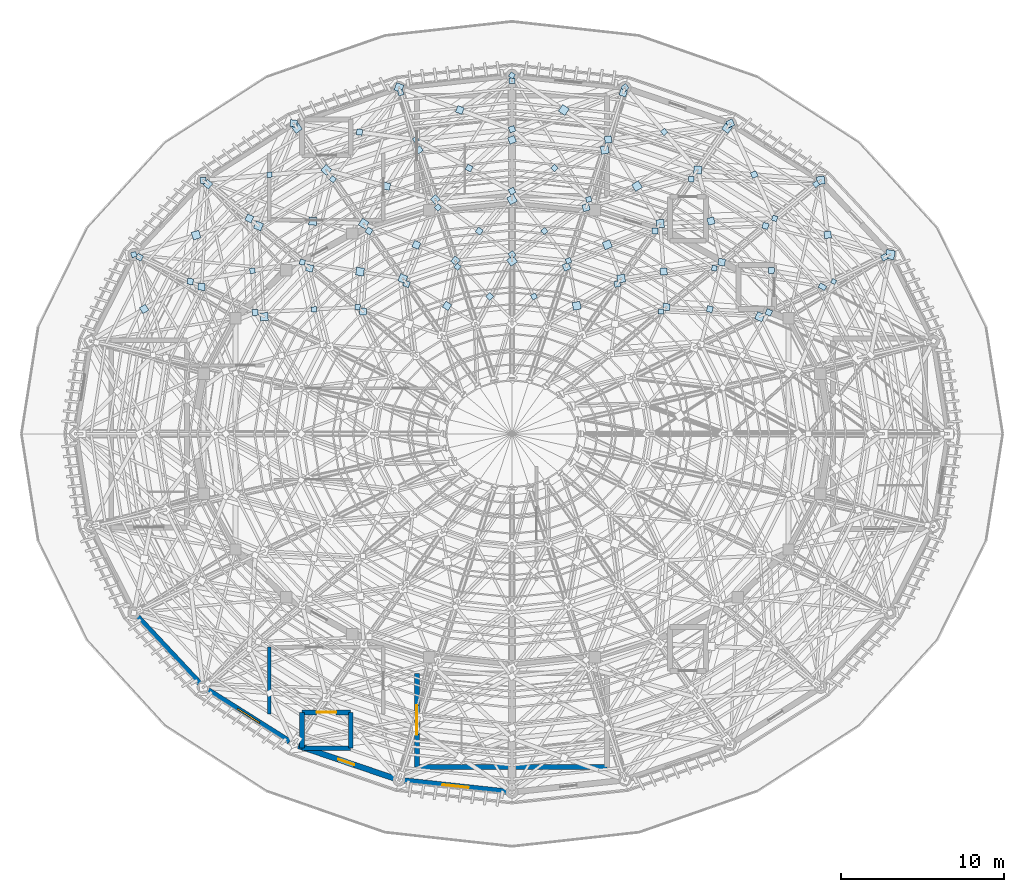
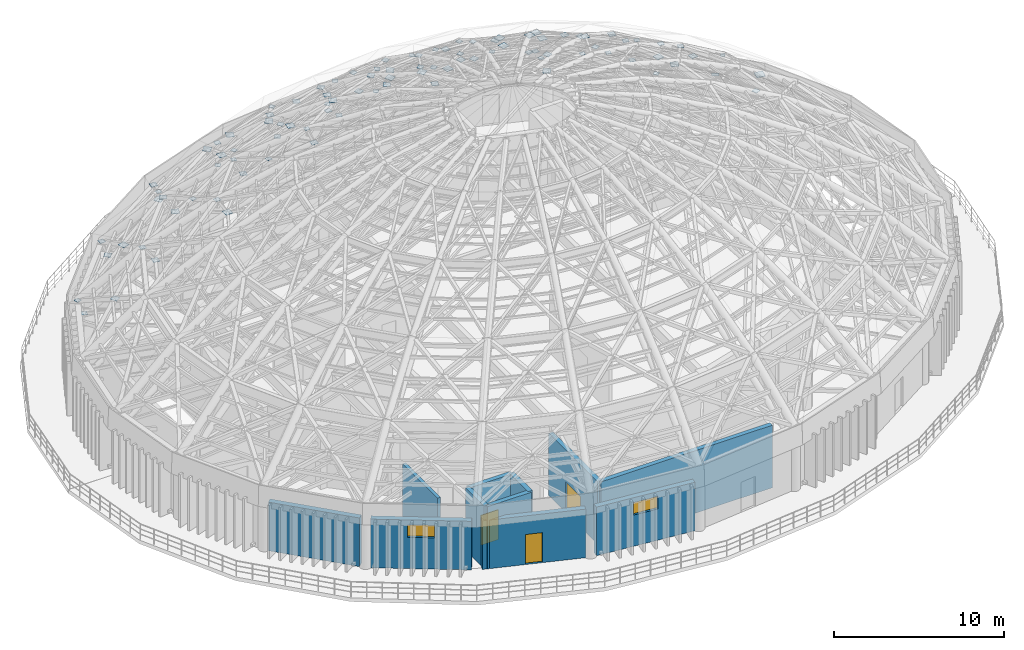
# One storey, part 38 of 50: 97 plates, 11 walls, 3 doors, 2 windows, 5 openings.
"""IFC4 building model written with IfcOpenShell, lengths in metres."""

import ifcopenshell
import ifcopenshell.guid

model = None  # the IFC model being written
_history = None  # IfcOwnerHistory: only IFC2X3 demands one
_inside = {}  # id of a spatial element -> (the spatial element, [elements in it])
_under = {}  # id of a project, library or spatial element -> (it, [spatial elements below it])
_declared = {}  # id of a project -> (the project, [libraries it declares])
_typed = {}  # id of a type object -> (the type object, [elements of that type])
_made_of = {}  # id of a material, layer set ... -> (it, [elements and type objects made of it])


def new_model(schema):
    """Start an empty IFC model of exactly this schema.

    Asked for "IFC4X3", IfcOpenShell would pick the latest addendum, in which some entities
    have other attributes; the version numbers below select the first issue.
    IFC2X3 requires an IfcOwnerHistory on every rooted entity: one is made here for all.
    """
    global model, _history
    if schema == "IFC4X3":
        model = ifcopenshell.file(schema_version=(4, 3, 0, 0))
    else:
        model = ifcopenshell.file(schema=schema)
    _inside.clear()
    _under.clear()
    _declared.clear()
    _typed.clear()
    _made_of.clear()
    _history = None
    if model.schema == "IFC2X3":
        org = make("IfcOrganization", Name="unknown")
        user = make(
            "IfcPersonAndOrganization",
            ThePerson=make("IfcPerson", FamilyName="unknown"),
            TheOrganization=org,
        )
        app = make(
            "IfcApplication",
            ApplicationDeveloper=org,
            Version="unknown",
            ApplicationFullName="unknown",
            ApplicationIdentifier="unknown",
        )
        _history = make(
            "IfcOwnerHistory",
            OwningUser=user,
            OwningApplication=app,
            ChangeAction="ADDED",
            CreationDate=0,
        )
    return model


def make(cls, **values):
    """One entity of the class cls with the attributes given. An attribute that is None is left unset."""
    return model.create_entity(
        cls, **{name: value for name, value in values.items() if value is not None}
    )


def rooted(cls, **values):
    """An entity with a GlobalId (a new one), such as an element, a storey or a relation."""
    return make(cls, GlobalId=ifcopenshell.guid.new(), OwnerHistory=_history, **values)


def si_unit(unit_type, name, prefix=None):
    """IfcSIUnit, for example si_unit("LENGTHUNIT", "METRE", prefix="MILLI")."""
    return make("IfcSIUnit", UnitType=unit_type, Prefix=prefix, Name=name)


def assignment(units):
    """IfcUnitAssignment: the units of a project."""
    return None if units is None else make("IfcUnitAssignment", Units=units)


def point(xyz):
    """IfcCartesianPoint."""
    return None if xyz is None else make("IfcCartesianPoint", Coordinates=xyz)


def direction(xyz):
    """IfcDirection."""
    return None if xyz is None else make("IfcDirection", DirectionRatios=xyz)


def frame(location, z_axis=None, x_axis=None):
    """IfcAxis2Placement3D, a coordinate frame: its origin and axes. An axis left out is left unset."""
    return make(
        "IfcAxis2Placement3D",
        Location=point(location),
        Axis=direction(z_axis),
        RefDirection=direction(x_axis),
    )


def frame_2d(location, x_axis=None):
    """IfcAxis2Placement2D, a coordinate frame in the plane: its origin and x axis."""
    return make(
        "IfcAxis2Placement2D", Location=point(location), RefDirection=direction(x_axis)
    )


def origin():
    """The frame at (0, 0, 0) with its axes left unset."""
    return frame((0.0, 0.0, 0.0))


def origin_2d():
    """The frame at (0, 0) in the plane with its x axis left unset."""
    return frame_2d((0.0, 0.0))


def place(relative_to, where):
    """IfcLocalPlacement: puts the frame where relative to a parent placement (None: the world)."""
    return make(
        "IfcLocalPlacement", PlacementRelTo=relative_to, RelativePlacement=where
    )


def context(
    kind, dimensions, precision=None, world=None, true_north=None, identifier=None
):
    """IfcGeometricRepresentationContext, for example the 3D "Model" context."""
    return make(
        "IfcGeometricRepresentationContext",
        ContextIdentifier=identifier,
        ContextType=kind,
        CoordinateSpaceDimension=dimensions,
        Precision=precision,
        WorldCoordinateSystem=world,
        TrueNorth=true_north,
    )


def subcontext(parent, identifier, kind, view, scale=None):
    """IfcGeometricRepresentationSubContext, for example "Body" below "Model"."""
    return make(
        "IfcGeometricRepresentationSubContext",
        ContextIdentifier=identifier,
        ContextType=kind,
        ParentContext=parent,
        TargetScale=scale,
        TargetView=view,
    )


def project(units=None, contexts=None):
    """IfcProject with its units and contexts."""
    return rooted(
        "IfcProject",
        Name="project",
        RepresentationContexts=contexts,
        UnitsInContext=assignment(units),
    )


def spatial(cls, under=None, at=None, **own):
    """A site, building, storey or space (cls), placed at a placement, below another one or the project."""
    s = rooted(cls, ObjectPlacement=at, **own)
    if under is not None:
        _under.setdefault(under.id(), (under, []))[1].append(s)
    return s


def profile(cls, at=None, kind="AREA", **sizes):
    """A parametric profile (cls). Its sizes go by their IFC names, for example OverallWidth=200.0."""
    return make(cls, ProfileType=kind, Position=at, **sizes)


def rectangle(**sizes):
    """IfcRectangleProfileDef."""
    return profile("IfcRectangleProfileDef", **sizes)


def extrude(swept, where, along, depth):
    """IfcExtrudedAreaSolid: the profile swept, set in the frame where, extruded along a direction by depth."""
    return make(
        "IfcExtrudedAreaSolid",
        SweptArea=swept,
        Position=where,
        ExtrudedDirection=direction(along),
        Depth=depth,
    )


def shape(context_of_items, identifier, shape_type, items):
    """IfcShapeRepresentation: the items that make up one representation, for example the "Body"."""
    return make(
        "IfcShapeRepresentation",
        ContextOfItems=context_of_items,
        RepresentationIdentifier=identifier,
        RepresentationType=shape_type,
        Items=items,
    )


def material(Name=None, Category=None):
    """IfcMaterial."""
    return make("IfcMaterial", Name=Name, Category=Category)


def layer(
    of_material, thickness, ventilated=None, Name=None, Category=None, Priority=None
):
    """IfcMaterialLayer: one layer of a wall or slab, of a material (None: an air gap)."""
    return make(
        "IfcMaterialLayer",
        Material=of_material,
        LayerThickness=thickness,
        IsVentilated=ventilated,
        Name=Name,
        Category=Category,
        Priority=Priority,
    )


def layer_set(layers, Name=None):
    """IfcMaterialLayerSet."""
    return make("IfcMaterialLayerSet", MaterialLayers=layers, LayerSetName=Name)


def made_of(thing, what):
    """Note that an element or type object is made of a material, layer set ...; save() writes the relation."""
    if what is not None:
        _made_of.setdefault(what.id(), (what, []))[1].append(thing)
    return thing


def type_object(cls, material=None, **own):
    """A type object (cls), such as IfcWallType, which elements share."""
    return made_of(rooted(cls, **own), material)


def element(
    cls,
    number,
    at=None,
    inside=None,
    cuts=None,
    type_object=None,
    material=None,
    context=None,
    identifier="Body",
    shape_type=None,
    held_by="IfcProductDefinitionShape",
    body=None,
    shapes=None,
    **own,
):
    """One element of the class cls, such as IfcWall. Its Tag is "e" and its number.

    at: its placement. inside: the storey or other place that contains it. cuts: it is an
    opening in that element (IfcRelVoidsElement). A single representation is given by context,
    identifier, shape_type and body (its items); several are given by shapes. held_by: the class
    of the entity that holds the representations. save() writes the other relations.
    """
    e = rooted(cls, Tag="e%d" % number, ObjectPlacement=at, **own)
    if body is not None:
        shapes = [shape(context, identifier, shape_type, body)]
    if shapes is not None:
        e.Representation = make(held_by, Representations=shapes)
    if inside is not None:
        _inside.setdefault(inside.id(), (inside, []))[1].append(e)
    if cuts is not None:
        rooted(
            "IfcRelVoidsElement", RelatingBuildingElement=cuts, RelatedOpeningElement=e
        )
    if type_object is not None:
        _typed.setdefault(type_object.id(), (type_object, []))[1].append(e)
    return made_of(e, material)


def fill(opening, filler):
    """IfcRelFillsElement: the door or window that sits in an opening."""
    return rooted(
        "IfcRelFillsElement",
        RelatingOpeningElement=opening,
        RelatedBuildingElement=filler,
    )


def aggregate(whole, parts):
    """IfcRelAggregates: a whole, such as a stair, and the parts it consists of."""
    return rooted("IfcRelAggregates", RelatingObject=whole, RelatedObjects=parts)


def save(model, path):
    """Write the relations noted so far, then the file.

    IfcRelAggregates (storeys below a building ...), IfcRelContainedInSpatialStructure (elements
    in a storey), IfcRelDefinesByType, IfcRelAssociatesMaterial and IfcRelDeclares: one each for
    every whole, place, type object, material and project.
    """
    for whole, parts in _under.values():
        aggregate(whole, parts)
    for where, things in _inside.values():
        rooted(
            "IfcRelContainedInSpatialStructure",
            RelatedElements=things,
            RelatingStructure=where,
        )
    for kind, things in _typed.values():
        rooted("IfcRelDefinesByType", RelatedObjects=things, RelatingType=kind)
    for what, things in _made_of.values():
        rooted("IfcRelAssociatesMaterial", RelatedObjects=things, RelatingMaterial=what)
    for by, libraries in _declared.values():
        rooted("IfcRelDeclares", RelatingContext=by, RelatedDefinitions=libraries)
    model.write(path)


model = new_model("IFC4")

# Units and contexts
model_context = context("Model", 3, precision=1e-05, world=origin(), true_north=direction((0.0, 1.0)))
body_context = subcontext(model_context, "Body", "Model", "MODEL_VIEW")
ifc_project = project(units=[si_unit("LENGTHUNIT", "METRE"), si_unit("AREAUNIT", "SQUARE_METRE"), si_unit("VOLUMEUNIT", "CUBIC_METRE"), si_unit("PLANEANGLEUNIT", "RADIAN"), si_unit("MASSUNIT", "GRAM", prefix="KILO")], contexts=[model_context])

# Site, building, storey
site_placement = place(None, origin())
site = spatial("IfcSite", under=ifc_project, at=site_placement, CompositionType="ELEMENT")
building_placement = place(site_placement, origin())
building = spatial("IfcBuilding", under=site, at=building_placement, Name="Cinderbank Siding Concert Hall", CompositionType="ELEMENT")
storey_placement = place(building_placement, frame((0.0, 0.0, 23.699951171875)))
storey = spatial("IfcBuildingStorey", under=building, at=storey_placement, Name="L06", CompositionType="ELEMENT", Elevation=23.699951171875)

# Plates
ifc_material_1 = material(Name="Structural steel welded plate section AS/NZS 3679.2 / AS/NZS 3678 Grade 350 (340 MPa)", Category="steel")
ifc_layer_1 = layer(ifc_material_1, 0.02490234375)
ifc_layer_set_1 = layer_set([ifc_layer_1], Name="Structural steel welded plate section AS/NZS 3679.2 / AS/NZS 3678 Grade 350 (340 MPa)")
plate_type_1 = type_object("IfcPlateType", Name="GP-01 Steel Gusset Cap Plate 480x480x25", PredefinedType="SHEET", material=ifc_layer_set_1)
for number, where, z_axis, x_axis, name in (
    (1, (140.950439453125, 59.556396484375, 4.487548828125), (0.0, 0.0, 1.0), (0.127064608601, -0.99189444259, 0.0), "L06 Steel Node Gusset Plate GP-01 #648"),
    (2, (133.39990234375, 60.194580078125, 8.087646484375), (0.0, 0.0, 1.0), (-0.996448909038, 0.084199594279, 0.0), "L06 Steel Node Gusset Plate GP-01 #652"),
    (3, (135.198974609375, 62.766845703125, 3.53759765625), (0.0, 0.0, 1.0), (-0.573147450739, -0.819452255907, 0.0), "L06 Steel Node Gusset Plate GP-01 #656"),
    (4, (127.694580078125, 61.4306640625, 7.1376953125), (0.0, 0.0, 1.0), (-0.984503179974, -0.175366726092, 0.0), "L06 Steel Node Gusset Plate GP-01 #660"),
    (5, (125.177490234375, 63.8798828125, 6.426025390625), (0.0, 0.0, 1.0), (0.831857270839, -0.554989622383, 0.0), "L06 Steel Node Gusset Plate GP-01 #664"),
    (6, (115.063720703125, 65.25048828125, 4.487548828125), (0.0, 0.0, 1.0), (0.93855327437, -0.345134395808, 0.0), "L06 Steel Node Gusset Plate GP-01 #668"),
    (7, (110.60009765625, 60.194580078125, 8.087646484375), (0.0, 0.0, 1.0), (-0.66183538044, -0.749649204093, 0.0), "L06 Steel Node Gusset Plate GP-01 #672"),
    (8, (108.801025390625, 62.766845703125, 3.53759765625), (0.0, 0.0, 1.0), (0.573147450739, -0.819452255907, 0.0), "L06 Steel Node Gusset Plate GP-01 #676"),
    (9, (106.442138671875, 56.760009765625, 7.1376953125), (0.0, 0.0, 1.0), (-0.365526694947, -0.930800856941, 0.0), "L06 Steel Node Gusset Plate GP-01 #680"),
    (10, (102.607421875, 56.197021484375, 6.42626953125), (0.0, 0.0, 1.0), (0.954188121518, 0.299207334056, 0.0), "L06 Steel Node Gusset Plate GP-01 #684"),
    (11, (137.2099609375, 51.189208984375, 10.337646484375), (0.0, 0.0, 1.0), (-0.92300887401, 0.384778661699, 0.0), "L06 Steel Node Gusset Plate GP-01 #760"),
    (12, (131.10009765625, 56.90380859375, 11.28759765625), (0.0, 0.0, 1.0), (-0.998970569791, -0.045362988129, 0.0), "L06 Steel Node Gusset Plate GP-01 #764"),
    (13, (129.673583984375, 59.204345703125, 9.860595703125), (0.0, 0.0, 1.0), (0.526955795497, -0.849892692987, 0.0), "L06 Steel Node Gusset Plate GP-01 #768"),
    (14, (122.0, 58.37841796875, 10.337646484375), (0.0, 0.0, 1.0), (-0.881385914309, -0.472396941203, 0.0), "L06 Steel Node Gusset Plate GP-01 #772"),
    (15, (112.89990234375, 56.90380859375, 11.28759765625), (0.0, 0.0, 1.0), (-0.526955795497, -0.849892692987, 0.0), "L06 Steel Node Gusset Plate GP-01 #776"),
    (16, (109.769287109375, 57.046142578125, 9.86083984375), (0.0, 0.0, 1.0), (0.998970569791, -0.045362988129, 0.0), "L06 Steel Node Gusset Plate GP-01 #780"),
    (17, (106.7900390625, 51.189208984375, 10.337646484375), (0.0, 0.0, 1.0), (0.062267945373, -0.998059468659, 0.0), "L06 Steel Node Gusset Plate GP-01 #784"),
    (18, (128.699951171875, 53.5263671875, 13.987548828125), (0.0, 0.0, 1.0), (-0.986883906564, -0.161431579828, 0.0), "L06 Steel Node Gusset Plate GP-01 #836"),
    (19, (127.850830078125, 55.603271484375, 12.835205078125), (0.0, 0.0, 1.0), (0.378487074295, -0.925606576571, 0.0), "L06 Steel Node Gusset Plate GP-01 #840"),
    (20, (122.0, 54.614990234375, 13.03759765625), (0.0, 0.0, 1.0), (-0.811471998801, -0.584391303119, 0.0), "L06 Steel Node Gusset Plate GP-01 #844"),
    (21, (115.300048828125, 53.5263671875, 13.987548828125), (0.0, 0.0, 1.0), (-0.378487074295, -0.925606576571, 0.0), "L06 Steel Node Gusset Plate GP-01 #848"),
    (22, (112.670166015625, 53.956787109375, 12.836669921875), (0.0, 0.0, 1.0), (0.986883906564, -0.161431579828, 0.0), "L06 Steel Node Gusset Plate GP-01 #852"),
    (23, (125.972900390625, 51.856689453125, 15.201171875), (0.0, 0.0, 1.0), (0.179317351584, -0.983791282448, 0.0), "L06 Steel Node Gusset Plate GP-01 #912"),
):
    element("IfcPlate", number, at=place(storey_placement, frame(where, z_axis=z_axis, x_axis=x_axis)), inside=storey, type_object=plate_type_1, Name=name, PredefinedType="SHEET", context=body_context, shape_type="SweptSolid", body=[
        extrude(rectangle(XDim=0.47998046875, YDim=0.47998046875, at=origin_2d()), origin(), (0.0, 0.0, 1.0), 0.02490234375),
    ])
ifc_layer_2 = layer(ifc_material_1, 0.02197265625)
ifc_layer_set_2 = layer_set([ifc_layer_2], Name="Structural steel welded plate section AS/NZS 3679.2 / AS/NZS 3678 Grade 350 (340 MPa)")
plate_type_2 = type_object("IfcPlateType", Name="GP-02 Steel Gusset Cap Plate 420x420x22", PredefinedType="SHEET", material=ifc_layer_set_2)
for number, where, z_axis, x_axis, name in (
    (24, (141.37841796875, 56.214599609375, 6.427490234375), (0.0, 0.0, 1.0), (0.127064608601, -0.99189444259, 0.0), "L06 Steel Node Gusset Plate GP-02 #649"),
    (25, (135.39990234375, 63.052490234375, 4.489013671875), (0.0, 0.0, 1.0), (0.423092745435, -0.906086380408, 0.0), "L06 Steel Node Gusset Plate GP-02 #653"),
    (26, (127.901123046875, 62.062744140625, 8.089111328125), (0.0, 0.0, 1.0), (-0.991399238736, -0.130872263805, 0.0), "L06 Steel Node Gusset Plate GP-02 #657"),
    (27, (128.832275390625, 64.931640625, 3.5390625), (0.0, 0.0, 1.0), (-0.308684994204, -0.951164325631, 0.0), "L06 Steel Node Gusset Plate GP-02 #661"),
    (28, (122.0, 62.04541015625, 7.13916015625), (0.0, 0.0, 1.0), (-0.921185405566, -0.38912395014, 0.0), "L06 Steel Node Gusset Plate GP-02 #665"),
    (29, (118.798583984375, 63.877197265625, 6.427490234375), (0.0, 0.0, 1.0), (0.93855327437, -0.345134395808, 0.0), "L06 Steel Node Gusset Plate GP-02 #669"),
    (30, (108.60009765625, 63.052490234375, 4.489013671875), (0.0, 0.0, 1.0), (0.991399238736, -0.130872263805, 0.0), "L06 Steel Node Gusset Plate GP-02 #673"),
    (31, (105.8779296875, 57.222900390625, 8.089111328125), (0.0, 0.0, 1.0), (-0.423092745435, -0.906086380408, 0.0), "L06 Steel Node Gusset Plate GP-02 #677"),
    (32, (103.333740234375, 59.322998046875, 3.5390625), (0.0, 0.0, 1.0), (0.771180329014, -0.636616760808, 0.0), "L06 Steel Node Gusset Plate GP-02 #681"),
    (33, (102.94580078125, 53.022705078125, 7.13916015625), (0.0, 0.0, 1.0), (-0.061396950581, -0.998113427652, 0.0), "L06 Steel Node Gusset Plate GP-02 #685"),
    (34, (99.420654296875, 51.6630859375, 6.427978515625), (0.0, 0.0, 1.0), (0.859227884191, 0.511593044351, 0.0), "L06 Steel Node Gusset Plate GP-02 #689"),
    (35, (134.869384765625, 54.535888671875, 11.2890625), (0.0, 0.0, 1.0), (-0.985437590637, 0.170037510451, 0.0), "L06 Steel Node Gusset Plate GP-02 #761"),
    (36, (134.214111328125, 57.058837890625, 9.8623046875), (0.0, 0.0, 1.0), (0.251393708421, -0.967884912253, 0.0), "L06 Steel Node Gusset Plate GP-02 #765"),
    (37, (126.545654296875, 57.888671875, 10.339111328125), (0.0, 0.0, 1.0), (-0.965563505285, -0.260167479254, 0.0), "L06 Steel Node Gusset Plate GP-02 #769"),
    (38, (117.28955078125, 58.392333984375, 11.2890625), (0.0, 0.0, 1.0), (-0.737984408834, -0.674817762301, 0.0), "L06 Steel Node Gusset Plate GP-02 #773"),
    (39, (114.306396484375, 59.196044921875, 9.862060546875), (0.0, 0.0, 1.0), (0.965563505285, -0.260167479254, 0.0), "L06 Steel Node Gusset Plate GP-02 #777"),
    (40, (109.5810546875, 54.1669921875, 10.339111328125), (0.0, 0.0, 1.0), (-0.251393708421, -0.967884912253, 0.0), "L06 Steel Node Gusset Plate GP-02 #781"),
    (41, (131.47509765625, 51.7783203125, 13.989013671875), (0.0, 0.0, 1.0), (-0.998638653892, 0.052161661713, 0.0), "L06 Steel Node Gusset Plate GP-02 #833"),
    (42, (131.31494140625, 53.967041015625, 12.8359375), (0.0, 0.0, 1.0), (0.0730641318, -0.997327244511, 0.0), "L06 Steel Node Gusset Plate GP-02 #837"),
    (43, (125.3466796875, 54.25341796875, 13.0390625), (0.0, 0.0, 1.0), (-0.926987583926, -0.375092014374, 0.0), "L06 Steel Node Gusset Plate GP-02 #841"),
    (44, (118.53173828125, 54.625244140625, 13.989013671875), (0.0, 0.0, 1.0), (-0.629998339126, -0.776596479968, 0.0), "L06 Steel Node Gusset Plate GP-02 #845"),
    (45, (116.131103515625, 55.596435546875, 12.838134765625), (0.0, 0.0, 1.0), (0.926987583926, -0.375092014374, 0.0), "L06 Steel Node Gusset Plate GP-02 #849"),
    (46, (112.8564453125, 51.505859375, 13.0390625), (0.0, 0.0, 1.0), (-0.0730641318, -0.997327244511, 0.0), "L06 Steel Node Gusset Plate GP-02 #853"),
    (47, (118.012939453125, 51.849853515625, 15.20166015625), (0.0, 0.0, 1.0), (0.850719384362, -0.52562013762, 0.0), "L06 Steel Node Gusset Plate GP-02 #921"),
):
    element("IfcPlate", number, at=place(storey_placement, frame(where, z_axis=z_axis, x_axis=x_axis)), inside=storey, type_object=plate_type_2, Name=name, PredefinedType="SHEET", context=body_context, shape_type="SweptSolid", body=[
        extrude(rectangle(XDim=0.419921875, YDim=0.419921875, at=origin_2d()), origin(), (0.0, 0.0, 1.0), 0.02197265625),
    ])
ifc_layer_3 = layer(ifc_material_1, 0.02001953125)
ifc_layer_set_3 = layer_set([ifc_layer_3], Name="Structural steel welded plate section AS/NZS 3679.2 / AS/NZS 3678 Grade 350 (340 MPa)")
plate_type_3 = type_object("IfcPlateType", Name="GP-03 Steel Gusset Cap Plate 360x360x20", PredefinedType="SHEET", material=ifc_layer_set_3)
for number, where, z_axis, x_axis, name in (
    (48, (144.861328125, 54.8349609375, 3.5400390625), (0.0, 0.0, 1.0), (-0.90273550608, -0.430196008887, 0.0), "L06 Steel Node Gusset Plate GP-03 #646"),
    (49, (137.557861328125, 56.760009765625, 7.14013671875), (0.0, 0.0, 1.0), (-0.966957007154, 0.2549394954, 0.0), "L06 Steel Node Gusset Plate GP-03 #650"),
    (50, (136.865478515625, 59.91357421875, 6.428466796875), (0.0, 0.0, 1.0), (0.423092745435, -0.906086380408, 0.0), "L06 Steel Node Gusset Plate GP-03 #654"),
    (51, (128.936279296875, 65.25048828125, 4.489990234375), (0.0, 0.0, 1.0), (0.66183538044, -0.749649204093, 0.0), "L06 Steel Node Gusset Plate GP-03 #658"),
    (52, (122.0, 62.699951171875, 8.090087890625), (0.0, 0.0, 1.0), (-0.93855327437, -0.345134395808, 0.0), "L06 Steel Node Gusset Plate GP-03 #662"),
    (53, (122.0, 65.669921875, 3.5400390625), (0.0, 0.0, 1.0), (0.0, -1.0, 0.0), "L06 Steel Node Gusset Plate GP-03 #666"),
    (54, (116.305419921875, 61.4306640625, 7.14013671875), (0.0, 0.0, 1.0), (-0.802088450119, -0.597205256328, 0.0), "L06 Steel Node Gusset Plate GP-03 #670"),
    (55, (112.63818359375, 62.51953125, 6.4287109375), (0.0, 0.0, 1.0), (0.991399238736, -0.130872263805, 0.0), "L06 Steel Node Gusset Plate GP-03 #674"),
    (56, (103.049560546875, 59.556396484375, 4.489990234375), (0.0, 0.0, 1.0), (0.996448909038, 0.084199594279, 0.0), "L06 Steel Node Gusset Plate GP-03 #678"),
    (57, (102.254638671875, 53.35009765625, 8.090087890625), (0.0, 0.0, 1.0), (-0.127064608601, -0.99189444259, 0.0), "L06 Steel Node Gusset Plate GP-03 #682"),
    (58, (99.138671875, 54.8349609375, 3.5400390625), (0.0, 0.0, 1.0), (0.90273550608, -0.430196008887, 0.0), "L06 Steel Node Gusset Plate GP-03 #686"),
    (59, (137.76171875, 51.449951171875, 11.2900390625), (0.0, 0.0, 1.0), (-0.92300887401, 0.384778661699, 0.0), "L06 Steel Node Gusset Plate GP-03 #758"),
    (60, (137.92236328125, 54.023193359375, 9.863525390625), (0.0, 0.0, 1.0), (-0.062267945373, -0.998059468659, 0.0), "L06 Steel Node Gusset Plate GP-03 #762"),
    (61, (130.781494140625, 56.4521484375, 10.340087890625), (0.0, 0.0, 1.0), (-0.998970569791, -0.045362988129, 0.0), "L06 Steel Node Gusset Plate GP-03 #766"),
    (62, (122.0, 58.89990234375, 11.2900390625), (0.0, 0.0, 1.0), (-0.881385914309, -0.472396941203, 0.0), "L06 Steel Node Gusset Plate GP-03 #770"),
    (63, (119.368408203125, 60.310546875, 9.863037109375), (0.0, 0.0, 1.0), (0.881385914309, -0.472396941203, 0.0), "L06 Steel Node Gusset Plate GP-03 #774"),
    (64, (113.218505859375, 56.4521484375, 10.340087890625), (0.0, 0.0, 1.0), (-0.526955795497, -0.849892692987, 0.0), "L06 Steel Node Gusset Plate GP-03 #778"),
    (65, (106.23828125, 51.449951171875, 11.2900390625), (0.0, 0.0, 1.0), (0.062267945373, -0.998059468659, 0.0), "L06 Steel Node Gusset Plate GP-03 #782"),
    (66, (134.14501953125, 51.6513671875, 12.83642578125), (0.0, 0.0, 1.0), (-0.243615011786, -0.969872015285, 0.0), "L06 Steel Node Gusset Plate GP-03 #834"),
    (67, (128.465576171875, 53.19287109375, 13.0400390625), (0.0, 0.0, 1.0), (-0.986883906564, -0.161431579828, 0.0), "L06 Steel Node Gusset Plate GP-03 #838"),
    (68, (122.0, 55.0, 13.989990234375), (0.0, 0.0, 1.0), (-0.811471998801, -0.584391303119, 0.0), "L06 Steel Node Gusset Plate GP-03 #842"),
    (69, (119.99169921875, 56.4462890625, 12.8388671875), (0.0, 0.0, 1.0), (0.811471998801, -0.584391303119, 0.0), "L06 Steel Node Gusset Plate GP-03 #846"),
    (70, (115.534423828125, 53.19287109375, 13.0400390625), (0.0, 0.0, 1.0), (-0.378487074295, -0.925606576571, 0.0), "L06 Steel Node Gusset Plate GP-03 #850"),
    (71, (120.63427734375, 52.427490234375, 15.20263671875), (0.0, 0.0, 1.0), (0.691260861067, -0.722605301639, 0.0), "L06 Steel Node Gusset Plate GP-03 #918"),
):
    element("IfcPlate", number, at=place(storey_placement, frame(where, z_axis=z_axis, x_axis=x_axis)), inside=storey, type_object=plate_type_3, Name=name, PredefinedType="SHEET", context=body_context, shape_type="SweptSolid", body=[
        extrude(rectangle(XDim=0.360107421875, YDim=0.360107421875, at=origin_2d()), origin(), (0.0, 0.0, 1.0), 0.02001953125),
    ])
ifc_layer_4 = layer(ifc_material_1, 0.02099609375)
ifc_layer_set_4 = layer_set([ifc_layer_4], Name="Structural steel welded plate section AS/NZS 3679.2 / AS/NZS 3678 Grade 350 (340 MPa)")
plate_type_4 = type_object("IfcPlateType", Name="GP-04 Steel Gusset Cap Plate 320x320x21", PredefinedType="SHEET", material=ifc_layer_set_4)
for number, where, z_axis, x_axis, name in (
    (72, (138.1220703125, 57.222900390625, 8.089599609375), (0.0, 0.0, 1.0), (-0.954188121518, 0.299207334056, 0.0), "L06 Steel Node Gusset Plate GP-04 #647"),
    (73, (140.666259765625, 59.322998046875, 3.53955078125), (0.0, 0.0, 1.0), (-0.771180329014, -0.636616760808, 0.0), "L06 Steel Node Gusset Plate GP-04 #651"),
    (74, (133.0009765625, 59.6279296875, 7.1396484375), (0.0, 0.0, 1.0), (-0.999208342878, 0.039783005453, 0.0), "L06 Steel Node Gusset Plate GP-04 #655"),
    (75, (131.33984375, 62.5283203125, 6.427978515625), (0.0, 0.0, 1.0), (0.66183538044, -0.749649204093, 0.0), "L06 Steel Node Gusset Plate GP-04 #659"),
    (76, (122.0, 66.0, 4.489501953125), (0.0, 0.0, 1.0), (0.831857270839, -0.554989622383, 0.0), "L06 Steel Node Gusset Plate GP-04 #663"),
    (77, (116.098876953125, 62.062744140625, 8.089599609375), (0.0, 0.0, 1.0), (-0.831857270839, -0.554989622383, 0.0), "L06 Steel Node Gusset Plate GP-04 #667"),
    (78, (115.167724609375, 64.931640625, 3.53955078125), (0.0, 0.0, 1.0), (0.308684994204, -0.951164325631, 0.0), "L06 Steel Node Gusset Plate GP-04 #671"),
    (79, (110.9990234375, 59.6279296875, 7.1396484375), (0.0, 0.0, 1.0), (-0.617996836899, -0.786180583316, 0.0), "L06 Steel Node Gusset Plate GP-04 #675"),
    (80, (107.115478515625, 59.900146484375, 6.42822265625), (0.0, 0.0, 1.0), (0.996448909038, 0.084199594279, 0.0), "L06 Steel Node Gusset Plate GP-04 #679"),
    (81, (98.79052734375, 55.0, 4.489501953125), (0.0, 0.0, 1.0), (0.954188121518, 0.299207334056, 0.0), "L06 Steel Node Gusset Plate GP-04 #683"),
    (82, (134.4189453125, 54.1669921875, 10.339599609375), (0.0, 0.0, 1.0), (-0.985437590637, 0.170037510451, 0.0), "L06 Steel Node Gusset Plate GP-04 #763"),
    (83, (126.71044921875, 58.392333984375, 11.28955078125), (0.0, 0.0, 1.0), (-0.965563505285, -0.260167479254, 0.0), "L06 Steel Node Gusset Plate GP-04 #767"),
    (84, (124.60986328125, 60.313232421875, 9.862548828125), (0.0, 0.0, 1.0), (0.737984408834, -0.674817762301, 0.0), "L06 Steel Node Gusset Plate GP-04 #771"),
    (85, (117.454345703125, 57.888671875, 10.339599609375), (0.0, 0.0, 1.0), (-0.737984408834, -0.674817762301, 0.0), "L06 Steel Node Gusset Plate GP-04 #775"),
    (86, (109.130615234375, 54.535888671875, 11.28955078125), (0.0, 0.0, 1.0), (-0.251393708421, -0.967884912253, 0.0), "L06 Steel Node Gusset Plate GP-04 #779"),
    (87, (106.065673828125, 54.00732421875, 9.863037109375), (0.0, 0.0, 1.0), (0.985437590637, 0.170037510451, 0.0), "L06 Steel Node Gusset Plate GP-04 #783"),
    (88, (131.1435546875, 51.505859375, 13.03955078125), (0.0, 0.0, 1.0), (-0.998638653892, 0.052161661713, 0.0), "L06 Steel Node Gusset Plate GP-04 #835"),
    (89, (125.46826171875, 54.625244140625, 13.989501953125), (0.0, 0.0, 1.0), (-0.926987583926, -0.375092014374, 0.0), "L06 Steel Node Gusset Plate GP-04 #839"),
    (90, (123.98876953125, 56.44873046875, 12.837890625), (0.0, 0.0, 1.0), (0.629998339126, -0.776596479968, 0.0), "L06 Steel Node Gusset Plate GP-04 #843"),
    (91, (118.6533203125, 54.25341796875, 13.03955078125), (0.0, 0.0, 1.0), (-0.629998339126, -0.776596479968, 0.0), "L06 Steel Node Gusset Plate GP-04 #847"),
    (92, (112.52490234375, 51.7783203125, 13.989501953125), (0.0, 0.0, 1.0), (-0.0730641318, -0.997327244511, 0.0), "L06 Steel Node Gusset Plate GP-04 #851"),
    (93, (109.843994140625, 51.63818359375, 12.838134765625), (0.0, 0.0, 1.0), (0.998638653892, 0.052161661713, 0.0), "L06 Steel Node Gusset Plate GP-04 #855"),
    (94, (123.349609375, 52.429931640625, 15.2021484375), (0.0, 0.0, 1.0), (0.464996568983, -0.885312482028, 0.0), "L06 Steel Node Gusset Plate GP-04 #915"),
):
    element("IfcPlate", number, at=place(storey_placement, frame(where, z_axis=z_axis, x_axis=x_axis)), inside=storey, type_object=plate_type_4, Name=name, PredefinedType="SHEET", context=body_context, shape_type="SweptSolid", body=[
        extrude(rectangle(XDim=0.320068359375, YDim=0.320068359375, at=origin_2d()), origin(), (0.0, 0.0, 1.0), 0.02099609375),
    ])
ifc_layer_5 = layer(ifc_material_1, 0.02001953125)
ifc_layer_set_5 = layer_set([ifc_layer_5], Name="Structural steel welded plate section AS/NZS 3679.2 / AS/NZS 3678 Grade 350 (340 MPa)")
plate_type_5 = type_object("IfcPlateType", Name="GP-05 Steel Gusset Cap Plate 280x280x20", PredefinedType="SHEET", material=ifc_layer_set_5)
plate_1_placement = place(storey_placement, frame((141.745361328125, 53.35009765625, 8.090087890625), z_axis=(0.0, 0.0, 1.0), x_axis=(-0.859227884191, 0.511593044351, 0.0)))
element("IfcPlate", 95, at=plate_1_placement, inside=storey, type_object=plate_type_5, Name="L06 Steel Node Gusset Plate GP-05 #642", PredefinedType="SHEET", context=body_context, shape_type="SweptSolid", body=[
    extrude(rectangle(XDim=0.280029296875, YDim=0.280029296875, at=origin_2d()), origin(), (0.0, 0.0, 1.0), 0.02001953125),
])
ifc_layer_6 = layer(ifc_material_1, 0.031982421875)
ifc_layer_set_6 = layer_set([ifc_layer_6], Name="Structural steel welded plate section AS/NZS 3679.2 / AS/NZS 3678 Grade 350 (340 MPa)")
plate_type_6 = type_object("IfcPlateType", Name="GP-06 Steel Gusset Cap Plate 550x550x32", PredefinedType="SHEET", material=ifc_layer_set_6)
plate_2_placement = place(storey_placement, frame((145.20947265625, 55.0, 4.48388671875), z_axis=(0.0, 0.0, 1.0), x_axis=(-0.18909544299, -0.981958712696, 0.0)))
element("IfcPlate", 96, at=plate_2_placement, inside=storey, type_object=plate_type_6, Name="L06 Steel Node Gusset Plate GP-06 #643", PredefinedType="SHEET", context=body_context, shape_type="SweptSolid", body=[
    extrude(rectangle(XDim=0.550048828125, YDim=0.550048828125, at=origin_2d()), origin(), (0.0, 0.0, 1.0), 0.031982421875),
])
ifc_layer_7 = layer(ifc_material_1, 0.02001953125)
ifc_layer_set_7 = layer_set([ifc_layer_7], Name="Structural steel welded plate section AS/NZS 3679.2 / AS/NZS 3678 Grade 350 (340 MPa)")
plate_type_7 = type_object("IfcPlateType", Name="GP-08 Steel Gusset Cap Plate 440x300x20", PredefinedType="SHEET", material=ifc_layer_set_7)
plate_3_placement = place(storey_placement, frame((141.05419921875, 53.022705078125, 7.14013671875), z_axis=(0.0, 0.0, 1.0), x_axis=(-0.883683947469, 0.468084053333, 0.0)))
element("IfcPlate", 97, at=plate_3_placement, inside=storey, type_object=plate_type_7, Name="L06 Steel Node Gusset Plate GP-08 #645", PredefinedType="SHEET", context=body_context, shape_type="SweptSolid", body=[
    extrude(rectangle(XDim=0.43994140625, YDim=0.300048828125, at=origin_2d()), origin(), (0.0, 0.0, 1.0), 0.02001953125),
])

# Wall
ifc_material_2 = material(Name="Reinforced concrete AS 3600 N50 (50 MPa)", Category="concrete")
ifc_layer_8 = layer(ifc_material_2, 0.35009765625)
ifc_layer_set_8 = layer_set([ifc_layer_8], Name="Reinforced concrete AS 3600 N50 (50 MPa)")
wall_type_1 = type_object("IfcWallType", Name="WL-02 Structural Wall 350mm", PredefinedType="SHEAR", material=ifc_layer_set_8)
wall_1_placement = place(storey_placement, frame((99.002197265625, 32.7734375, 0.0), z_axis=(0.0, 0.0, 1.0), x_axis=(0.682886399388, -0.730524582427, 0.0)))
element("IfcWall", 98, at=wall_1_placement, inside=storey, type_object=wall_type_1, Name="L06 Structural Wall SW-E2-L06-15", PredefinedType="SHEAR", context=body_context, shape_type="SweptSolid", body=[
    extrude(rectangle(XDim=5.616943359375, YDim=0.35009765625, at=frame_2d((2.80859375, 0.0))), origin(), (0.0, 0.0, 1.0), 3.5),
])

# Wall, opening, window
wall_2_placement = place(storey_placement, frame((103.311767578125, 28.278564453125, 0.0), z_axis=(0.0, 0.0, 1.0), x_axis=(0.846132783073, -0.532972150688, 0.0)))
wall_2 = element("IfcWall", 99, at=wall_2_placement, inside=storey, type_object=wall_type_1, Name="L06 Structural Wall SW-E2-L06-16", PredefinedType="SHEAR", context=body_context, shape_type="SweptSolid", body=[
    extrude(rectangle(XDim=5.949951171875, YDim=0.35009765625, at=frame_2d((2.97509765625, 0.0))), origin(), (0.0, 0.0, 1.0), 3.5),
])
opening_1_placement = place(wall_2_placement, frame((2.175048828125, 0.0, 2.25)))
opening_1 = element("IfcOpeningElement", 100, at=opening_1_placement, cuts=wall_2, Name="Opening SK-01", PredefinedType="OPENING", context=body_context, shape_type="SweptSolid", body=[
    extrude(rectangle(XDim=1.60009765625, YDim=0.89990234375, at=frame_2d((0.800048828125, 0.449951171875))), frame((0.0, 0.18701171875, 0.0), z_axis=(0.0, -1.0, 0.0), x_axis=(1.0, 0.0, 0.0)), (0.0, 0.0, 1.0), 0.3740234375),
])
ifc_material_3 = material(Name="Double-glazed laminated skylight acoustic glass", Category="glass")
window_type = type_object("IfcWindowType", Name="SK-01 Acoustic Laminated Skylight 1600x900", PartitioningType="SINGLE_PANEL", PredefinedType="SKYLIGHT", material=ifc_material_3)
window_1_placement = place(opening_1_placement, origin())
window_1 = element("IfcWindow", 101, at=window_1_placement, inside=storey, type_object=window_type, Name="Dome Springing Clerestory Skylight 15", OverallHeight=0.89990234375, OverallWidth=1.60009765625, PartitioningType="SINGLE_PANEL", PredefinedType="SKYLIGHT", context=body_context, shape_type="SweptSolid", body=[
    extrude(rectangle(XDim=1.60009765625, YDim=0.89990234375, at=frame_2d((0.800048828125, 0.449951171875))), frame((0.0, 0.030029296875, 0.0), z_axis=(0.0, -1.0, 0.0), x_axis=(1.0, 0.0, 0.0)), (0.0, 0.0, 1.0), 0.06005859375),
])
fill(opening_1, window_1)

# Wall, opening, door
wall_3_placement = place(storey_placement, frame((108.884033203125, 24.850830078125, 0.0), z_axis=(0.0, 0.0, 1.0), x_axis=(0.946761494057, -0.321935821821, 0.0)))
wall_3 = element("IfcWall", 102, at=wall_3_placement, inside=storey, type_object=wall_type_1, Name="L06 Structural Wall SW-E2-L06-17", PredefinedType="SHEAR", context=body_context, shape_type="SweptSolid", body=[
    extrude(rectangle(XDim=6.217041015625, YDim=0.35009765625, at=frame_2d((3.1083984375, 0.0))), origin(), (0.0, 0.0, 1.0), 3.5),
])
opening_2_placement = place(wall_3_placement, frame((2.58837890625, 0.0, 0.0)))
opening_2 = element("IfcOpeningElement", 103, at=opening_2_placement, cuts=wall_3, Name="Opening TD-02", PredefinedType="OPENING", context=body_context, shape_type="SweptSolid", body=[
    extrude(rectangle(XDim=1.0400390625, YDim=2.159912109375, at=frame_2d((0.52001953125, 1.080078125))), frame((0.0, 0.18701171875, 0.0), z_axis=(0.0, -1.0, 0.0), x_axis=(1.0, 0.0, 0.0)), (0.0, 0.0, 1.0), 0.3740234375),
])
ifc_material_4 = material(Name="Solid-core spotted gum acoustic timber", Category="wood")
door_type_1 = type_object("IfcDoorType", Name="TD-02 Exterior Door 1040x2160", OperationType="NOTDEFINED", PredefinedType="DOOR", material=ifc_material_4)
door_1_placement = place(opening_2_placement, origin())
door_1 = element("IfcDoor", 104, at=door_1_placement, inside=storey, type_object=door_type_1, Name="L06 Upper Drum Terrace Door L06-ED031", OperationType="SINGLE_SWING_RIGHT", OverallHeight=2.159912109375, OverallWidth=1.0400390625, PredefinedType="DOOR", context=body_context, shape_type="SweptSolid", body=[
    extrude(rectangle(XDim=1.0400390625, YDim=2.159912109375, at=frame_2d((0.52001953125, 1.080078125))), frame((0.0, 0.02490234375, 0.0), z_axis=(0.0, -1.0, 0.0), x_axis=(1.0, 0.0, 0.0)), (0.0, 0.0, 1.0), 0.050048828125),
])
fill(opening_2, door_1)

# Wall, opening, window
wall_4_placement = place(storey_placement, frame((115.371826171875, 22.71630859375, 0.0), z_axis=(0.0, 0.0, 1.0), x_axis=(0.99420948753, -0.107459270912, 0.0)))
wall_4 = element("IfcWall", 105, at=wall_4_placement, inside=storey, type_object=wall_type_1, Name="L06 Structural Wall SW-E2-L06-18", PredefinedType="SHEAR", context=body_context, shape_type="SweptSolid", body=[
    extrude(rectangle(XDim=6.35693359375, YDim=0.35009765625, at=frame_2d((3.178466796875, 0.0))), origin(), (0.0, 0.0, 1.0), 3.5),
])
opening_3_placement = place(wall_4_placement, frame((2.37841796875, 0.0, 2.25)))
opening_3 = element("IfcOpeningElement", 106, at=opening_3_placement, cuts=wall_4, Name="Opening SK-01", PredefinedType="OPENING", context=body_context, shape_type="SweptSolid", body=[
    extrude(rectangle(XDim=1.60009765625, YDim=0.89990234375, at=frame_2d((0.800048828125, 0.449951171875))), frame((0.0, 0.18701171875, 0.0), z_axis=(0.0, -1.0, 0.0), x_axis=(1.0, 0.0, 0.0)), (0.0, 0.0, 1.0), 0.3740234375),
])
window_2_placement = place(opening_3_placement, origin())
window_2 = element("IfcWindow", 107, at=window_2_placement, inside=storey, type_object=window_type, Name="Dome Springing Clerestory Skylight 17", OverallHeight=0.89990234375, OverallWidth=1.60009765625, PartitioningType="SINGLE_PANEL", PredefinedType="SKYLIGHT", context=body_context, shape_type="SweptSolid", body=[
    extrude(rectangle(XDim=1.60009765625, YDim=0.89990234375, at=frame_2d((0.800048828125, 0.449951171875))), frame((0.0, 0.030029296875, 0.0), z_axis=(0.0, -1.0, 0.0), x_axis=(1.0, 0.0, 0.0)), (0.0, 0.0, 1.0), 0.06005859375),
])
fill(opening_3, window_2)

# Wall, opening, door
ifc_layer_9 = layer(ifc_material_2, 0.300048828125)
ifc_layer_set_9 = layer_set([ifc_layer_9], Name="Reinforced concrete AS 3600 N50 (50 MPa)")
wall_type_2 = type_object("IfcWallType", Name="WL-03 Structural Wall 300mm", PredefinedType="SHEAR", material=ifc_layer_set_9)
wall_5_placement = place(storey_placement, frame((116.159912109375, 23.56005859375, 0.0), z_axis=(0.0, 0.0, 1.0), x_axis=(0.0, 1.0, 0.0)))
wall_5 = element("IfcWall", 108, at=wall_5_placement, inside=storey, type_object=wall_type_2, Name="L06 ST-02 Core Wall ENTRY", PredefinedType="SHEAR", context=body_context, shape_type="SweptSolid", body=[
    extrude(rectangle(XDim=5.739990234375, YDim=0.300048828125, at=frame_2d((2.8701171875, 0.0))), origin(), (0.0, 0.0, 1.0), 4.5),
])
opening_4_placement = place(wall_5_placement, frame((1.969970703125, 0.0, 0.0)))
opening_4 = element("IfcOpeningElement", 109, at=opening_4_placement, cuts=wall_5, Name="Opening D-05", PredefinedType="OPENING", context=body_context, shape_type="SweptSolid", body=[
    extrude(rectangle(XDim=1.800048828125, YDim=2.199951171875, at=frame_2d((0.89990234375, 1.10009765625))), frame((0.0, 0.162109375, 0.0), z_axis=(0.0, -1.0, 0.0), x_axis=(1.0, 0.0, 0.0)), (0.0, 0.0, 1.0), 0.323974609375),
])
ifc_material_5 = material(Name="Galvanised sheet steel acoustic fire door assembly", Category="steel")
door_type_2 = type_object("IfcDoorType", Name="D-05 Interior Door 1800x2200", OperationType="DOUBLE_DOOR_SINGLE_SWING", PredefinedType="DOOR", material=ifc_material_5)
door_2_placement = place(opening_4_placement, origin())
door_2 = element("IfcDoor", 110, at=door_2_placement, inside=storey, type_object=door_type_2, Name="L06 ST-02 Fire Stair Door L06-D014", OperationType="DOUBLE_DOOR_SINGLE_SWING", OverallHeight=2.199951171875, OverallWidth=1.800048828125, PredefinedType="DOOR", context=body_context, shape_type="SweptSolid", body=[
    extrude(rectangle(XDim=1.800048828125, YDim=2.199951171875, at=frame_2d((0.89990234375, 1.10009765625))), frame((0.0, 0.02490234375, 0.0), z_axis=(0.0, -1.0, 0.0), x_axis=(1.0, 0.0, 0.0)), (0.0, 0.0, 1.0), 0.050048828125),
])
fill(opening_4, door_2)

# Walls
wall_6_placement = place(storey_placement, frame((127.840087890625, 23.56005859375, 0.0), z_axis=(0.0, 0.0, 1.0), x_axis=(-1.0, 0.0, 0.0)))
element("IfcWall", 111, at=wall_6_placement, inside=storey, type_object=wall_type_2, Name="L06 ST-02 Core Wall SIDE1", PredefinedType="SHEAR", context=body_context, shape_type="SweptSolid", body=[
    extrude(rectangle(XDim=11.68017578125, YDim=0.300048828125, at=frame_2d((5.840087890625, 0.0))), origin(), (0.0, 0.0, 1.0), 4.5),
])
wall_7_placement = place(storey_placement, frame((112.10009765625, 24.699951171875, 0.0), z_axis=(0.0, 0.0, 1.0), x_axis=(-1.0, 0.0, 0.0)))
element("IfcWall", 112, at=wall_7_placement, inside=storey, type_object=wall_type_2, Name="L06 LF-05 Shaft Wall -Y", PredefinedType="SHEAR", context=body_context, shape_type="SweptSolid", body=[
    extrude(rectangle(XDim=3.0, YDim=0.300048828125, at=frame_2d((1.5, 0.0))), origin(), (0.0, 0.0, 1.0), 4.5),
])
wall_8_placement = place(storey_placement, frame((112.10009765625, 26.89990234375, 0.0), z_axis=(0.0, 0.0, 1.0), x_axis=(0.0, -1.0, 0.0)))
element("IfcWall", 113, at=wall_8_placement, inside=storey, type_object=wall_type_2, Name="L06 LF-05 Shaft Wall +X", PredefinedType="SHEAR", context=body_context, shape_type="SweptSolid", body=[
    extrude(rectangle(XDim=2.199951171875, YDim=0.300048828125, at=frame_2d((1.10009765625, 0.0))), origin(), (0.0, 0.0, 1.0), 4.5),
])

# Wall, opening, door
wall_9_placement = place(storey_placement, frame((109.10009765625, 26.89990234375, 0.0), z_axis=(0.0, 0.0, 1.0), x_axis=(1.0, 0.0, 0.0)))
wall_9 = element("IfcWall", 114, at=wall_9_placement, inside=storey, type_object=wall_type_2, Name="L06 LF-05 Shaft Wall +Y", PredefinedType="SHEAR", context=body_context, shape_type="SweptSolid", body=[
    extrude(rectangle(XDim=3.0, YDim=0.300048828125, at=frame_2d((1.5, 0.0))), origin(), (0.0, 0.0, 1.0), 4.5),
])
opening_5_placement = place(wall_9_placement, frame((0.89990234375, 0.0, 0.0)))
opening_5 = element("IfcOpeningElement", 115, at=opening_5_placement, cuts=wall_9, Name="Opening LD-02", PredefinedType="OPENING", context=body_context, shape_type="SweptSolid", body=[
    extrude(rectangle(XDim=1.199951171875, YDim=2.14990234375, at=frame_2d((0.60009765625, 1.074951171875))), frame((0.0, 0.162109375, 0.0), z_axis=(0.0, -1.0, 0.0), x_axis=(1.0, 0.0, 0.0)), (0.0, 0.0, 1.0), 0.323974609375),
])
door_type_3 = type_object("IfcDoorType", Name="LD-02 Interior Door 1200x2150", OperationType="DOUBLE_DOOR_SLIDING", PredefinedType="DOOR", material=ifc_material_5)
door_3_placement = place(opening_5_placement, origin())
door_3 = element("IfcDoor", 116, at=door_3_placement, inside=storey, type_object=door_type_3, Name="L06 LF-05 Sliding Landing Door", OperationType="DOUBLE_DOOR_SLIDING", OverallHeight=2.14990234375, OverallWidth=1.199951171875, PredefinedType="DOOR", context=body_context, shape_type="SweptSolid", body=[
    extrude(rectangle(XDim=1.199951171875, YDim=2.14990234375, at=frame_2d((0.60009765625, 1.074951171875))), frame((0.0, 0.02490234375, 0.0), z_axis=(0.0, -1.0, 0.0), x_axis=(1.0, 0.0, 0.0)), (0.0, 0.0, 1.0), 0.050048828125),
])
fill(opening_5, door_3)

# Walls
wall_10_placement = place(storey_placement, frame((109.10009765625, 24.699951171875, 0.0), z_axis=(0.0, 0.0, 1.0), x_axis=(0.0, 1.0, 0.0)))
element("IfcWall", 117, at=wall_10_placement, inside=storey, type_object=wall_type_2, Name="L06 LF-05 Shaft Wall -X", PredefinedType="SHEAR", context=body_context, shape_type="SweptSolid", body=[
    extrude(rectangle(XDim=2.199951171875, YDim=0.300048828125, at=frame_2d((1.10009765625, 0.0))), origin(), (0.0, 0.0, 1.0), 4.5),
])
ifc_layer_10 = layer(ifc_material_2, 0.219970703125)
ifc_layer_set_10 = layer_set([ifc_layer_10], Name="Reinforced concrete AS 3600 N50 (50 MPa)")
wall_type_3 = type_object("IfcWallType", Name="WL-06 Interior Wall 220mm", PredefinedType="SOLIDWALL", material=ifc_layer_set_10)
wall_11_placement = place(storey_placement, frame((107.10009765625, 26.800048828125, 0.0), z_axis=(0.0, 0.0, 1.0), x_axis=(0.0, 1.0, 0.0)))
element("IfcWall", 118, at=wall_11_placement, inside=storey, type_object=wall_type_3, Name="L06 Firefighting Lobby Wall FFLS-W", PredefinedType="SOLIDWALL", context=body_context, shape_type="SweptSolid", body=[
    extrude(rectangle(XDim=4.099853515625, YDim=0.219970703125, at=frame_2d((2.0498046875, 0.0))), origin(), (0.0, 0.0, 1.0), 4.485107421875),
])

save(model, "model.ifc")
